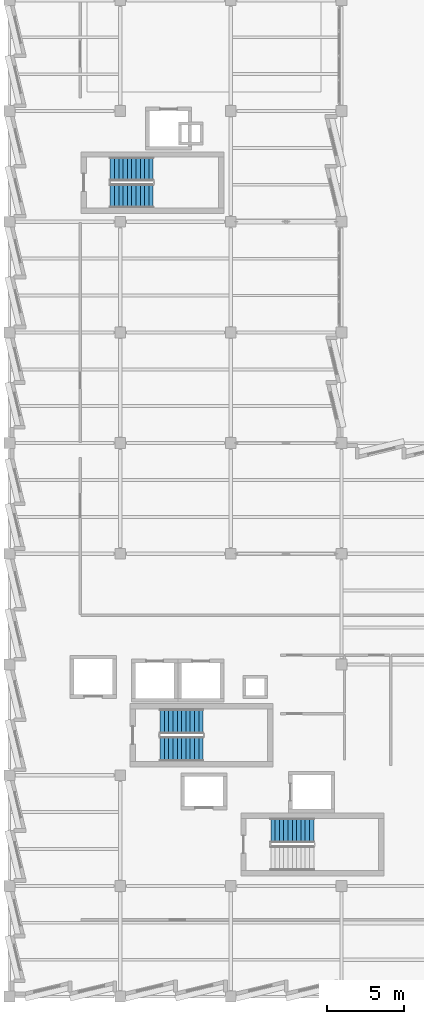
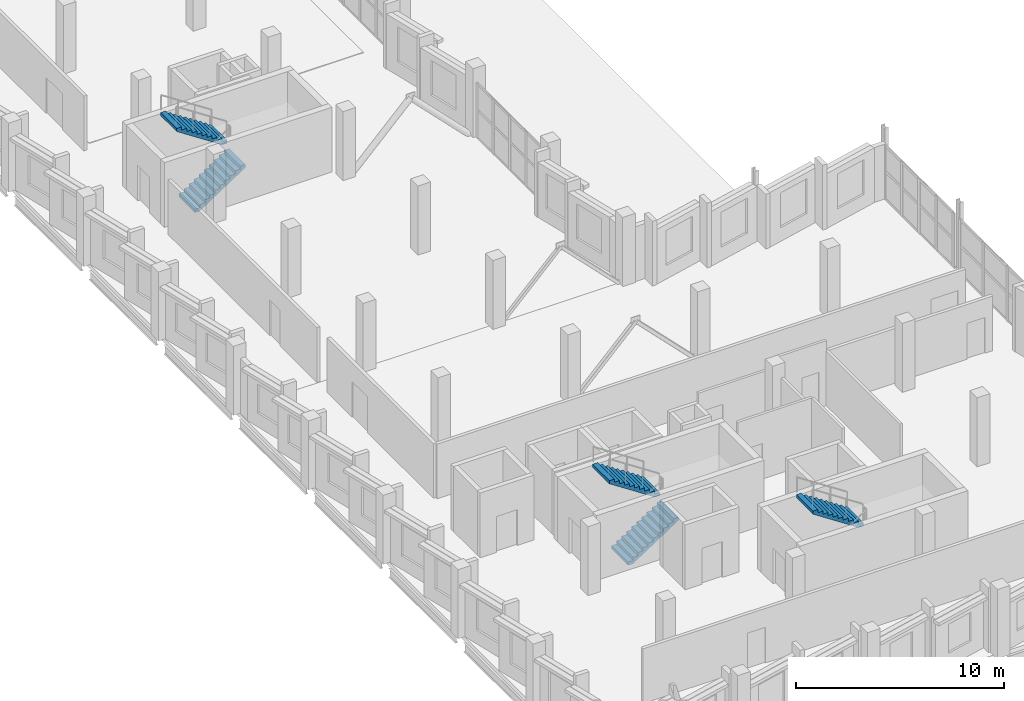
# One storey, part 34 of 38: 5 stair flights, 3 elements without a shape of their own.
"""IFC4 building model written with IfcOpenShell, lengths in metres."""

from ifc_helpers import new_model, si_unit, direction, frame, origin, place, context, subcontext, project, spatial, polyline, outline, extrude, material, type_object, element, aggregate, save


model = new_model("IFC4")

# Units and contexts
model_context = context("Model", 3, precision=1e-05, world=origin(), true_north=direction((0.0, 1.0)))
body_context = subcontext(model_context, "Body", "Model", "MODEL_VIEW")
ifc_project = project(units=[si_unit("LENGTHUNIT", "METRE"), si_unit("AREAUNIT", "SQUARE_METRE"), si_unit("VOLUMEUNIT", "CUBIC_METRE"), si_unit("PLANEANGLEUNIT", "RADIAN"), si_unit("MASSUNIT", "GRAM", prefix="KILO")], contexts=[model_context])

# Site, building, storey
site_placement = place(None, origin())
site = spatial("IfcSite", under=ifc_project, at=site_placement, CompositionType="ELEMENT")
building_placement = place(site_placement, origin())
building = spatial("IfcBuilding", under=site, at=building_placement, Name="Kalmorath City Hall", CompositionType="ELEMENT")
storey_placement = place(building_placement, frame((0.0, 0.0, 18.89990234375)))
storey = spatial("IfcBuildingStorey", under=building, at=storey_placement, Name="L04", CompositionType="ELEMENT", Elevation=18.89990234375)

# Stair, stair flights
ifc_material_1 = material(Name="Concrete C40/50", Category="concrete")
stair_type_1 = type_object("IfcStairType", Name="Dogleg concrete exit stair 22R x 184mm W1550", PredefinedType="HALF_TURN_STAIR", material=ifc_material_1)
stair_1_placement = place(storey_placement, origin())
stair_1 = element("IfcStair", 1, at=stair_1_placement, inside=storey, type_object=stair_type_1, Name="L04 Protected exit stair ST-3", PredefinedType="HALF_TURN_STAIR")
ifc_material_2 = material(Name="Concrete C40/50", Category="concrete")
stair_flight_type_1 = type_object("IfcStairFlightType", Name="Concrete stair flight 184x280 W1550", PredefinedType="STRAIGHT", material=ifc_material_2)
stair_flight_1_placement = place(storey_placement, frame((6.550048828125, 52.074951171875, 0.0), z_axis=(0.0, 0.0, 1.0), x_axis=(1.0, 0.0, 0.0)))
stair_flight_1 = element("IfcStairFlight", 2, at=stair_flight_1_placement, type_object=stair_flight_type_1, Name="ST-3 flight 1", NumberOfRisers=11, NumberOfTreads=10, PredefinedType="STRAIGHT", RiserHeight=0.184090909, TreadLength=0.28, context=body_context, shape_type="SweptSolid", body=[
    extrude(outline(polyline([(0.0, 0.0), (0.0, 0.18408203125), (0.280029296875, 0.18408203125), (0.280029296875, 0.3681640625), (0.56005859375, 0.3681640625), (0.56005859375, 0.55224609375), (0.840087890625, 0.55224609375), (0.840087890625, 0.736328125), (1.1201171875, 0.736328125), (1.1201171875, 0.92041015625), (1.39990234375, 0.92041015625), (1.39990234375, 1.1044921875), (1.679931640625, 1.1044921875), (1.679931640625, 1.28857421875), (1.9599609375, 1.28857421875), (1.9599609375, 1.47265625), (2.239990234375, 1.47265625), (2.239990234375, 1.65673828125), (2.52001953125, 1.65673828125), (2.52001953125, 1.8408203125), (2.800048828125, 1.8408203125), (2.800048828125, 2.02490234375), (2.800048828125, 1.66162109375), (0.27294921875, 0.0), (0.0, 0.0)])), frame((0.0, 0.77490234375, 0.0), z_axis=(0.0, -1.0, 0.0), x_axis=(1.0, 0.0, 0.0)), (0.0, 0.0, 1.0), 1.550048828125),
])
stair_flight_2_placement = place(storey_placement, frame((9.35009765625, 53.824951171875, 2.025146484375), z_axis=(0.0, 0.0, 1.0), x_axis=(-1.0, 0.0, 0.0)))
stair_flight_2 = element("IfcStairFlight", 3, at=stair_flight_2_placement, type_object=stair_flight_type_1, Name="ST-3 flight 2", NumberOfRisers=11, NumberOfTreads=10, PredefinedType="STRAIGHT", RiserHeight=0.184090909, TreadLength=0.28, context=body_context, shape_type="SweptSolid", body=[
    extrude(outline(polyline([(0.0, 0.0), (0.0, 0.18408203125), (0.280029296875, 0.18408203125), (0.280029296875, 0.3681640625), (0.56005859375, 0.3681640625), (0.56005859375, 0.55224609375), (0.840087890625, 0.55224609375), (0.840087890625, 0.736328125), (1.1201171875, 0.736328125), (1.1201171875, 0.92041015625), (1.39990234375, 0.92041015625), (1.39990234375, 1.1044921875), (1.679931640625, 1.1044921875), (1.679931640625, 1.28857421875), (1.9599609375, 1.28857421875), (1.9599609375, 1.47265625), (2.239990234375, 1.47265625), (2.239990234375, 1.65673828125), (2.52001953125, 1.65673828125), (2.52001953125, 1.8408203125), (2.800048828125, 1.8408203125), (2.800048828125, 2.02490234375), (2.800048828125, 1.66162109375), (0.27294921875, 0.0), (0.0, 0.0)])), frame((0.0, 0.77490234375, 0.0), z_axis=(0.0, -1.0, 0.0), x_axis=(1.0, 0.0, 0.0)), (0.0, 0.0, 1.0), 1.550048828125),
])
aggregate(stair_1, [stair_flight_1, stair_flight_2])

ifc_material_3 = material(Name="Concrete C40/50", Category="concrete")
stair_type_2 = type_object("IfcStairType", Name="Dogleg concrete exit stair 22R x 184mm W1600", PredefinedType="HALF_TURN_STAIR", material=ifc_material_3)
stair_2_placement = place(storey_placement, origin())
stair_2 = element("IfcStair", 4, at=stair_2_placement, inside=storey, type_object=stair_type_2, Name="L04 Protected exit stair ST-1", PredefinedType="HALF_TURN_STAIR")
ifc_material_4 = material(Name="Concrete C40/50", Category="concrete")
stair_flight_type_2 = type_object("IfcStairFlightType", Name="Concrete stair flight 184x280 W1600", PredefinedType="STRAIGHT", material=ifc_material_4)
stair_flight_3_placement = place(storey_placement, frame((9.800048828125, 16.10009765625, 0.0), z_axis=(0.0, 0.0, 1.0), x_axis=(1.0, 0.0, 0.0)))
stair_flight_3 = element("IfcStairFlight", 5, at=stair_flight_3_placement, type_object=stair_flight_type_2, Name="ST-1 flight 1", NumberOfRisers=11, NumberOfTreads=10, PredefinedType="STRAIGHT", RiserHeight=0.184090909, TreadLength=0.28, context=body_context, shape_type="SweptSolid", body=[
    extrude(outline(polyline([(0.0, 0.0), (0.0, 0.18408203125), (0.280029296875, 0.18408203125), (0.280029296875, 0.3681640625), (0.56005859375, 0.3681640625), (0.56005859375, 0.55224609375), (0.840087890625, 0.55224609375), (0.840087890625, 0.736328125), (1.1201171875, 0.736328125), (1.1201171875, 0.92041015625), (1.39990234375, 0.92041015625), (1.39990234375, 1.1044921875), (1.679931640625, 1.1044921875), (1.679931640625, 1.28857421875), (1.9599609375, 1.28857421875), (1.9599609375, 1.47265625), (2.239990234375, 1.47265625), (2.239990234375, 1.65673828125), (2.52001953125, 1.65673828125), (2.52001953125, 1.8408203125), (2.800048828125, 1.8408203125), (2.800048828125, 2.02490234375), (2.800048828125, 1.66162109375), (0.27294921875, 0.0), (0.0, 0.0)])), frame((0.0, 0.800048828125, 0.0), z_axis=(0.0, -1.0, 0.0), x_axis=(1.0, 0.0, 0.0)), (0.0, 0.0, 1.0), 1.60009765625),
])
stair_flight_4_placement = place(storey_placement, frame((12.60009765625, 17.89990234375, 2.025146484375), z_axis=(0.0, 0.0, 1.0), x_axis=(-1.0, 0.0, 0.0)))
stair_flight_4 = element("IfcStairFlight", 6, at=stair_flight_4_placement, type_object=stair_flight_type_2, Name="ST-1 flight 2", NumberOfRisers=11, NumberOfTreads=10, PredefinedType="STRAIGHT", RiserHeight=0.184090909, TreadLength=0.28, context=body_context, shape_type="SweptSolid", body=[
    extrude(outline(polyline([(0.0, 0.0), (0.0, 0.18408203125), (0.280029296875, 0.18408203125), (0.280029296875, 0.3681640625), (0.56005859375, 0.3681640625), (0.56005859375, 0.55224609375), (0.840087890625, 0.55224609375), (0.840087890625, 0.736328125), (1.1201171875, 0.736328125), (1.1201171875, 0.92041015625), (1.39990234375, 0.92041015625), (1.39990234375, 1.1044921875), (1.679931640625, 1.1044921875), (1.679931640625, 1.28857421875), (1.9599609375, 1.28857421875), (1.9599609375, 1.47265625), (2.239990234375, 1.47265625), (2.239990234375, 1.65673828125), (2.52001953125, 1.65673828125), (2.52001953125, 1.8408203125), (2.800048828125, 1.8408203125), (2.800048828125, 2.02490234375), (2.800048828125, 1.66162109375), (0.27294921875, 0.0), (0.0, 0.0)])), frame((0.0, 0.800048828125, 0.0), z_axis=(0.0, -1.0, 0.0), x_axis=(1.0, 0.0, 0.0)), (0.0, 0.0, 1.0), 1.60009765625),
])
aggregate(stair_2, [stair_flight_3, stair_flight_4])

# Stair, stair flight
stair_3_placement = place(storey_placement, origin())
stair_3 = element("IfcStair", 7, at=stair_3_placement, inside=storey, type_object=stair_type_2, Name="L04 Protected exit stair ST-2", PredefinedType="HALF_TURN_STAIR")
stair_flight_5_placement = place(storey_placement, frame((19.800048828125, 10.800048828125, 2.025146484375), z_axis=(0.0, 0.0, 1.0), x_axis=(-1.0, 0.0, 0.0)))
stair_flight_5 = element("IfcStairFlight", 8, at=stair_flight_5_placement, type_object=stair_flight_type_2, Name="ST-2 flight 2", NumberOfRisers=11, NumberOfTreads=10, PredefinedType="STRAIGHT", RiserHeight=0.184090909, TreadLength=0.28, context=body_context, shape_type="SweptSolid", body=[
    extrude(outline(polyline([(0.0, 0.0), (0.0, 0.18408203125), (0.280029296875, 0.18408203125), (0.280029296875, 0.3681640625), (0.56005859375, 0.3681640625), (0.56005859375, 0.55224609375), (0.840087890625, 0.55224609375), (0.840087890625, 0.736328125), (1.1201171875, 0.736328125), (1.1201171875, 0.92041015625), (1.39990234375, 0.92041015625), (1.39990234375, 1.1044921875), (1.679931640625, 1.1044921875), (1.679931640625, 1.28857421875), (1.9599609375, 1.28857421875), (1.9599609375, 1.47265625), (2.239990234375, 1.47265625), (2.239990234375, 1.65673828125), (2.52001953125, 1.65673828125), (2.52001953125, 1.8408203125), (2.800048828125, 1.8408203125), (2.800048828125, 2.02490234375), (2.800048828125, 1.66162109375), (0.27294921875, 0.0), (0.0, 0.0)])), frame((0.0, 0.800048828125, 0.0), z_axis=(0.0, -1.0, 0.0), x_axis=(1.0, 0.0, 0.0)), (0.0, 0.0, 1.0), 1.60009765625),
])
aggregate(stair_3, [stair_flight_5])

save(model, "model.ifc")
